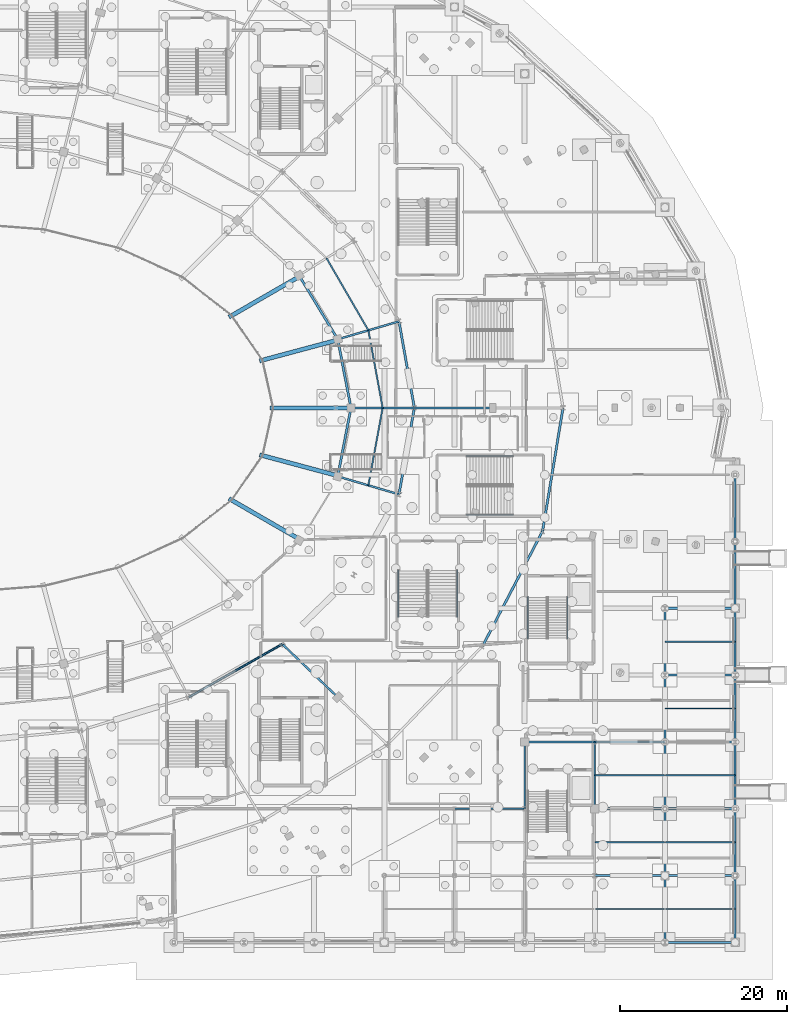
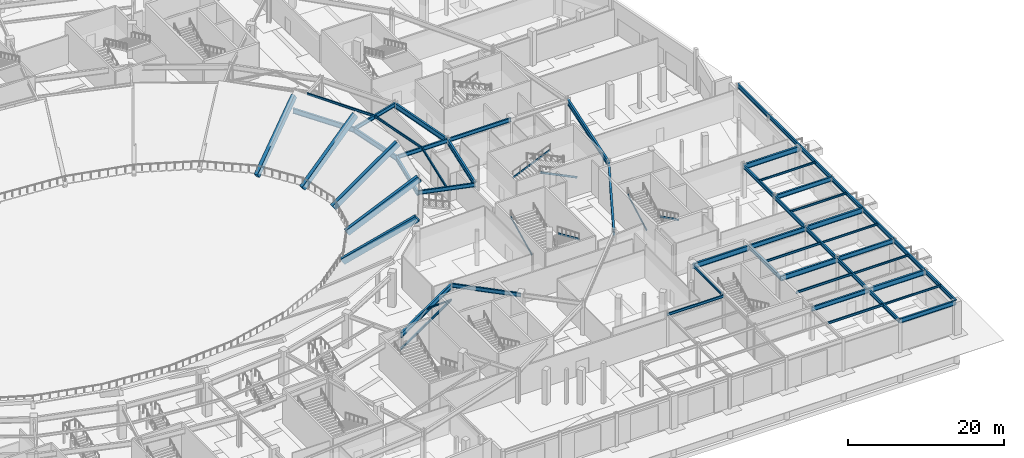
# One storey, part 37 of 93: 55 beams, 7 members.
"""IFC4 building model written with IfcOpenShell, lengths in metres."""

from ifc_helpers import new_model, si_unit, direction, frame, origin, origin_2d, place, context, subcontext, project, spatial, rectangle, hollow_circle, i_section, extrude, material, material_profile, profile_set, type_object, element, save


model = new_model("IFC4")

# Units and contexts
model_context = context("Model", 3, precision=1e-05, world=origin(), true_north=direction((0.0, 1.0)))
body_context = subcontext(model_context, "Body", "Model", "MODEL_VIEW")
ifc_project = project(units=[si_unit("LENGTHUNIT", "METRE"), si_unit("AREAUNIT", "SQUARE_METRE"), si_unit("VOLUMEUNIT", "CUBIC_METRE"), si_unit("PLANEANGLEUNIT", "RADIAN"), si_unit("MASSUNIT", "GRAM", prefix="KILO")], contexts=[model_context])

# Site, building, storey
site_placement = place(None, origin())
site = spatial("IfcSite", under=ifc_project, at=site_placement, CompositionType="ELEMENT")
building_placement = place(site_placement, origin())
building = spatial("IfcBuilding", under=site, at=building_placement, Name="Kalgoora Escarpment Arena", CompositionType="ELEMENT")
storey_placement = place(building_placement, origin())
storey = spatial("IfcBuildingStorey", under=building, at=storey_placement, Name="L00", CompositionType="ELEMENT", Elevation=0.0)

# Beams
ifc_material_1 = material(Name="Structural steel AS/NZS 3679 (300 MPa)", Category="steel")
ifc_material_profile_1 = material_profile(ifc_material_1, i_section(OverallWidth=0.1708984375, OverallDepth=0.35205078125, WebThickness=0.0068359375, FlangeThickness=0.009765625, at=origin_2d()))
ifc_profile_set_1 = profile_set([ifc_material_profile_1], Name="Structural steel AS/NZS 3679 (300 MPa)")
beam_type_1 = type_object("IfcBeamType", Name="BM-BEAM-360UB44.7", PredefinedType="BEAM", material=ifc_profile_set_1)
beam_1_placement = place(storey_placement, frame((119.39990234375, 29.35888671875, 2.52392578125), z_axis=(0.869373733104, 0.494155149917, 0.0), x_axis=(-0.494155149917, 0.869373733104, 0.0)))
element("IfcBeam", 1, at=beam_1_placement, inside=storey, type_object=beam_type_1, Name="L00 Portal brace collector beam 360UB44.7", PredefinedType="BEAM", context=body_context, shape_type="SweptSolid", body=[
    extrude(i_section(OverallWidth=0.1708984375, OverallDepth=0.35205078125, WebThickness=0.0068359375, FlangeThickness=0.009765625, at=origin_2d()), origin(), (0.0, 0.0, 1.0), 12.8642578125),
])
ifc_material_2 = material(Name="Structural steel AS/NZS 3679 (300 MPa)", Category="steel")
ifc_material_profile_2 = material_profile(ifc_material_2, i_section(OverallWidth=0.172119140625, OverallDepth=0.35888671875, WebThickness=0.008056640625, FlangeThickness=0.012939453125, at=origin_2d()))
ifc_profile_set_2 = profile_set([ifc_material_profile_2], Name="Structural steel AS/NZS 3679 (300 MPa)")
beam_type_2 = type_object("IfcBeamType", Name="BM-BEAM-360UB56.7", PredefinedType="BEAM", material=ifc_profile_set_2)
beam_2_placement = place(storey_placement, frame((142.60498046875, 64.0, 4.9404296875), z_axis=(-0.181263825147, 0.983434505035, 0.0), x_axis=(-0.983434505035, -0.181263825147, 0.0)))
element("IfcBeam", 2, at=beam_2_placement, inside=storey, type_object=beam_type_2, Name="L00 Concourse secondary ring beam 360UB56.7", PredefinedType="BEAM", context=body_context, shape_type="SweptSolid", body=[
    extrude(i_section(OverallWidth=0.172119140625, OverallDepth=0.35888671875, WebThickness=0.008056640625, FlangeThickness=0.012939453125, at=origin_2d()), origin(), (0.0, 0.0, 1.0), 9.4375),
])
beam_3_placement = place(storey_placement, frame((140.894287109375, 73.28125, 4.9404296875), z_axis=(-0.501654133754, 0.865068280593, 0.0), x_axis=(-0.865068280593, -0.501654133754, 0.0)))
element("IfcBeam", 3, at=beam_3_placement, inside=storey, type_object=beam_type_2, Name="L00 Concourse secondary ring beam 360UB56.7", PredefinedType="BEAM", context=body_context, shape_type="SweptSolid", body=[
    extrude(i_section(OverallWidth=0.172119140625, OverallDepth=0.35888671875, WebThickness=0.008056640625, FlangeThickness=0.012939453125, at=origin_2d()), origin(), (0.0, 0.0, 1.0), 9.997802734375),
])
beam_4_placement = place(storey_placement, frame((140.894287109375, 54.71875, 4.9404296875), z_axis=(0.181263825147, 0.983434505035, 0.0), x_axis=(-0.983434505035, 0.181263825147, 0.0)))
element("IfcBeam", 4, at=beam_4_placement, inside=storey, type_object=beam_type_2, Name="L00 Concourse secondary ring beam 360UB56.7", PredefinedType="BEAM", context=body_context, shape_type="SweptSolid", body=[
    extrude(i_section(OverallWidth=0.172119140625, OverallDepth=0.35888671875, WebThickness=0.008056640625, FlangeThickness=0.012939453125, at=origin_2d()), origin(), (0.0, 0.0, 1.0), 9.4375),
])
ifc_material_3 = material(Name="Structural steel AS/NZS 3679 (300 MPa)", Category="steel")
ifc_material_profile_3 = material_profile(ifc_material_3, i_section(OverallWidth=0.177978515625, OverallDepth=0.406005859375, WebThickness=0.0078125, FlangeThickness=0.0126953125, at=origin_2d()))
ifc_profile_set_3 = profile_set([ifc_material_profile_3], Name="Structural steel AS/NZS 3679 (300 MPa)")
beam_type_3 = type_object("IfcBeamType", Name="BM-GIRDER-410UB59.7", PredefinedType="USERDEFINED", material=ifc_profile_set_3)
beam_5_placement = place(storey_placement, frame((151.199951171875, 16.0, 4.9169921875), z_axis=(1.0, 0.0, 0.0), x_axis=(0.0, 1.0, 0.0)))
element("IfcBeam", 5, at=beam_5_placement, inside=storey, type_object=beam_type_3, Name="L00 Floor girder 410UB59.7", ObjectType="GIRDER", PredefinedType="USERDEFINED", context=body_context, shape_type="SweptSolid", body=[
    extrude(i_section(OverallWidth=0.177978515625, OverallDepth=0.406005859375, WebThickness=0.0078125, FlangeThickness=0.0126953125, at=origin_2d()), origin(), (0.0, 0.0, 1.0), 8.400146484375),
])
beam_6_placement = place(storey_placement, frame((159.60009765625, 16.0, 4.9169921875), z_axis=(0.0, 1.0, 0.0), x_axis=(-1.0, 0.0, 0.0)))
element("IfcBeam", 6, at=beam_6_placement, inside=storey, type_object=beam_type_3, Name="L00 Floor girder 410UB59.7", ObjectType="GIRDER", PredefinedType="USERDEFINED", context=body_context, shape_type="SweptSolid", body=[
    extrude(i_section(OverallWidth=0.177978515625, OverallDepth=0.406005859375, WebThickness=0.0078125, FlangeThickness=0.0126953125, at=origin_2d()), origin(), (0.0, 0.0, 1.0), 8.0),
])
ifc_material_4 = material(Name="Structural steel AS/NZS 3679 (300 MPa)", Category="steel")
ifc_material_profile_4 = material_profile(ifc_material_4, i_section(OverallWidth=0.22900390625, OverallDepth=0.612060546875, WebThickness=0.011962890625, FlangeThickness=0.01953125, at=origin_2d()))
ifc_profile_set_4 = profile_set([ifc_material_profile_4], Name="Structural steel AS/NZS 3679 (300 MPa)")
beam_type_4 = type_object("IfcBeamType", Name="BM-GIRDER-610UB125", PredefinedType="USERDEFINED", material=ifc_profile_set_4)
for number, where, z_axis, x_axis, name in (
    (7, (168.0, 16.0, 4.81396484375), (0.0, 1.0, 0.0), (-1.0, 0.0, 0.0), "L00 Floor girder 610UB125"),
    (8, (176.39990234375, 0.0, 4.81396484375), (0.0, 1.0, 0.0), (-1.0, 0.0, 0.0), "L00 Floor girder 610UB125"),
    (9, (176.39990234375, 8.0, 4.81396484375), (0.0, 1.0, 0.0), (-1.0, 0.0, 0.0), "L00 Floor girder 610UB125"),
    (10, (176.39990234375, 16.0, 4.81396484375), (0.0, 1.0, 0.0), (-1.0, 0.0, 0.0), "L00 Floor girder 610UB125"),
    (11, (176.39990234375, 24.0, 4.81396484375), (0.0, 1.0, 0.0), (-1.0, 0.0, 0.0), "L00 Floor girder 610UB125"),
    (12, (176.39990234375, 32.0, 4.81396484375), (0.0, 1.0, 0.0), (-1.0, 0.0, 0.0), "L00 Floor girder 610UB125"),
):
    element("IfcBeam", number, at=place(storey_placement, frame(where, z_axis=z_axis, x_axis=x_axis)), inside=storey, type_object=beam_type_4, Name=name, ObjectType="GIRDER", PredefinedType="USERDEFINED", context=body_context, shape_type="SweptSolid", body=[
        extrude(i_section(OverallWidth=0.22900390625, OverallDepth=0.612060546875, WebThickness=0.011962890625, FlangeThickness=0.01953125, at=origin_2d()), origin(), (0.0, 0.0, 1.0), 8.0),
    ])
beam_7_placement = place(storey_placement, frame((138.81005859375, 64.0, 4.81396484375), z_axis=(1.0, 0.0, 0.0), x_axis=(0.0, 1.0, 0.0)))
element("IfcBeam", 13, at=beam_7_placement, inside=storey, type_object=beam_type_4, Name="L00 Radial concourse girder 610UB125", ObjectType="GIRDER", PredefinedType="USERDEFINED", context=body_context, shape_type="SweptSolid", body=[
    extrude(i_section(OverallWidth=0.22900390625, OverallDepth=0.612060546875, WebThickness=0.011962890625, FlangeThickness=0.01953125, at=origin_2d()), origin(), (0.0, 0.0, 1.0), 7.58984375),
])
beam_8_placement = place(storey_placement, frame((146.39990234375, 64.0, 4.81396484375), z_axis=(1.0, 0.0, 0.0), x_axis=(0.0, 1.0, 0.0)))
element("IfcBeam", 14, at=beam_8_placement, inside=storey, type_object=beam_type_4, Name="L00 Radial concourse girder 610UB125", ObjectType="GIRDER", PredefinedType="USERDEFINED", context=body_context, shape_type="SweptSolid", body=[
    extrude(i_section(OverallWidth=0.22900390625, OverallDepth=0.612060546875, WebThickness=0.011962890625, FlangeThickness=0.01953125, at=origin_2d()), origin(), (0.0, 0.0, 1.0), 9.400146484375),
])
beam_9_placement = place(storey_placement, frame((137.228515625, 72.209716796875, 4.81396484375), z_axis=(0.959834445675, 0.280566991813, 0.0), x_axis=(-0.280566991813, 0.959834445675, 0.0)))
element("IfcBeam", 15, at=beam_9_placement, inside=storey, type_object=beam_type_4, Name="L00 Radial concourse girder 610UB125", ObjectType="GIRDER", PredefinedType="USERDEFINED", context=body_context, shape_type="SweptSolid", body=[
    extrude(i_section(OverallWidth=0.22900390625, OverallDepth=0.612060546875, WebThickness=0.011962890625, FlangeThickness=0.01953125, at=origin_2d()), origin(), (0.0, 0.0, 1.0), 7.638427734375),
])
beam_10_placement = place(storey_placement, frame((130.583740234375, 35.7158203125, 4.81396484375), z_axis=(0.722313931554, -0.691565314546, 0.0), x_axis=(0.691565314546, 0.722313931554, 0.0)))
element("IfcBeam", 16, at=beam_10_placement, inside=storey, type_object=beam_type_4, Name="L00 Radial concourse girder 610UB125", ObjectType="GIRDER", PredefinedType="USERDEFINED", context=body_context, shape_type="SweptSolid", body=[
    extrude(i_section(OverallWidth=0.22900390625, OverallDepth=0.612060546875, WebThickness=0.011962890625, FlangeThickness=0.01953125, at=origin_2d()), origin(), (0.0, 0.0, 1.0), 9.202392578125),
])
beam_11_placement = place(storey_placement, frame((137.228515625, 55.790283203125, 4.81396484375), z_axis=(0.959834445675, -0.280566991813, 0.0), x_axis=(0.280566991813, 0.959834445675, 0.0)))
element("IfcBeam", 17, at=beam_11_placement, inside=storey, type_object=beam_type_4, Name="L00 Radial concourse girder 610UB125", ObjectType="GIRDER", PredefinedType="USERDEFINED", context=body_context, shape_type="SweptSolid", body=[
    extrude(i_section(OverallWidth=0.22900390625, OverallDepth=0.612060546875, WebThickness=0.011962890625, FlangeThickness=0.01953125, at=origin_2d()), origin(), (0.0, 0.0, 1.0), 7.638427734375),
])
ifc_material_5 = material(Name="Structural steel AS/NZS 3679 (300 MPa)", Category="steel")
ifc_material_profile_5 = material_profile(ifc_material_5, i_section(OverallWidth=0.25, OverallDepth=0.699951171875, WebThickness=0.010009765625, FlangeThickness=0.02001953125, at=origin_2d()))
ifc_profile_set_5 = profile_set([ifc_material_profile_5], Name="Structural steel AS/NZS 3679 (300 MPa)")
beam_type_5 = type_object("IfcBeamType", Name="BM-GIRDER-700WB130", PredefinedType="USERDEFINED", material=ifc_profile_set_5)
for number, where, z_axis, x_axis, name in (
    (18, (168.0, 8.0, 4.77001953125), (1.0, 0.0, 0.0), (0.0, 1.0, 0.0), "L00 Floor girder 700WB130"),
    (19, (168.0, 24.0, 4.77001953125), (1.0, 0.0, 0.0), (0.0, 1.0, 0.0), "L00 Floor girder 700WB130"),
):
    element("IfcBeam", number, at=place(storey_placement, frame(where, z_axis=z_axis, x_axis=x_axis)), inside=storey, type_object=beam_type_5, Name=name, ObjectType="GIRDER", PredefinedType="USERDEFINED", context=body_context, shape_type="SweptSolid", body=[
        extrude(i_section(OverallWidth=0.25, OverallDepth=0.699951171875, WebThickness=0.010009765625, FlangeThickness=0.02001953125, at=origin_2d()), origin(), (0.0, 0.0, 1.0), 8.39990234375),
    ])
for number, where, z_axis, x_axis, name in (
    (20, (176.39990234375, 16.0, 4.77001953125), (1.0, 0.0, 0.0), (0.0, 1.0, 0.0), "L00 Floor girder 700WB130"),
    (21, (176.39990234375, 32.0, 4.77001953125), (1.0, 0.0, 0.0), (0.0, 1.0, 0.0), "L00 Floor girder 700WB130"),
):
    element("IfcBeam", number, at=place(storey_placement, frame(where, z_axis=z_axis, x_axis=x_axis)), inside=storey, type_object=beam_type_5, Name=name, ObjectType="GIRDER", PredefinedType="USERDEFINED", context=body_context, shape_type="SweptSolid", body=[
        extrude(i_section(OverallWidth=0.25, OverallDepth=0.699951171875, WebThickness=0.010009765625, FlangeThickness=0.02001953125, at=origin_2d()), origin(), (0.0, 0.0, 1.0), 8.400146484375),
    ])
ifc_material_6 = material(Name="Structural steel AS/NZS 3679 (300 MPa)", Category="steel")
ifc_material_profile_6 = material_profile(ifc_material_6, i_section(OverallWidth=0.27490234375, OverallDepth=0.800048828125, WebThickness=0.011962890625, FlangeThickness=0.02197265625, at=origin_2d()))
ifc_profile_set_6 = profile_set([ifc_material_profile_6], Name="Structural steel AS/NZS 3679 (300 MPa)")
beam_type_6 = type_object("IfcBeamType", Name="BM-GIRDER-800WB168", PredefinedType="USERDEFINED", material=ifc_profile_set_6)
for number, where, z_axis, x_axis, name in (
    (22, (159.60009765625, 24.0, 4.719970703125), (1.0, 0.0, 0.0), (0.0, 1.0, 0.0), "L00 Floor girder 800WB168"),
    (23, (168.0, 16.0, 4.719970703125), (1.0, 0.0, 0.0), (0.0, 1.0, 0.0), "L00 Floor girder 800WB168"),
):
    element("IfcBeam", number, at=place(storey_placement, frame(where, z_axis=z_axis, x_axis=x_axis)), inside=storey, type_object=beam_type_6, Name=name, ObjectType="GIRDER", PredefinedType="USERDEFINED", context=body_context, shape_type="SweptSolid", body=[
        extrude(i_section(OverallWidth=0.27490234375, OverallDepth=0.800048828125, WebThickness=0.011962890625, FlangeThickness=0.02197265625, at=origin_2d()), origin(), (0.0, 0.0, 1.0), 8.39990234375),
    ])
for number, where, z_axis, x_axis, name in (
    (24, (176.39990234375, 8.0, 4.719970703125), (1.0, 0.0, 0.0), (0.0, 1.0, 0.0), "L00 Floor girder 800WB168"),
    (25, (176.39990234375, 24.0, 4.719970703125), (1.0, 0.0, 0.0), (0.0, 1.0, 0.0), "L00 Floor girder 800WB168"),
    (26, (176.39990234375, 40.0, 4.719970703125), (1.0, 0.0, 0.0), (0.0, 1.0, 0.0), "L00 Floor girder 800WB168"),
):
    element("IfcBeam", number, at=place(storey_placement, frame(where, z_axis=z_axis, x_axis=x_axis)), inside=storey, type_object=beam_type_6, Name=name, ObjectType="GIRDER", PredefinedType="USERDEFINED", context=body_context, shape_type="SweptSolid", body=[
        extrude(i_section(OverallWidth=0.27490234375, OverallDepth=0.800048828125, WebThickness=0.011962890625, FlangeThickness=0.02197265625, at=origin_2d()), origin(), (0.0, 0.0, 1.0), 8.400146484375),
    ])
beam_12_placement = place(storey_placement, frame((138.81005859375, 64.0, 4.719970703125), z_axis=(-0.189164721843, 0.981945369158, 0.0), x_axis=(-0.981945369158, -0.189164721843, 0.0)))
element("IfcBeam", 27, at=beam_12_placement, inside=storey, type_object=beam_type_6, Name="L00 Circumferential concourse girder RMID 800WB168", ObjectType="GIRDER", PredefinedType="USERDEFINED", context=body_context, shape_type="SweptSolid", body=[
    extrude(i_section(OverallWidth=0.27490234375, OverallDepth=0.800048828125, WebThickness=0.011962890625, FlangeThickness=0.02197265625, at=origin_2d()), origin(), (0.0, 0.0, 1.0), 8.360595703125),
])
beam_13_placement = place(storey_placement, frame((146.39990234375, 64.0, 4.719970703125), z_axis=(-0.174973315738, 0.984573175939, 0.0), x_axis=(-0.984573175939, -0.174973315738, 0.0)))
element("IfcBeam", 28, at=beam_13_placement, inside=storey, type_object=beam_type_6, Name="L00 Circumferential concourse girder RMAIN 800WB168", ObjectType="GIRDER", PredefinedType="USERDEFINED", context=body_context, shape_type="SweptSolid", body=[
    extrude(i_section(OverallWidth=0.27490234375, OverallDepth=0.800048828125, WebThickness=0.011962890625, FlangeThickness=0.02197265625, at=origin_2d()), origin(), (0.0, 0.0, 1.0), 10.514892578125),
])
beam_14_placement = place(storey_placement, frame((137.228515625, 72.209716796875, 4.719970703125), z_axis=(-0.518271472998, 0.855216159972, 0.0), x_axis=(-0.855216159972, -0.518271472998, 0.0)))
element("IfcBeam", 29, at=beam_14_placement, inside=storey, type_object=beam_type_6, Name="L00 Circumferential concourse girder RMID 800WB168", ObjectType="GIRDER", PredefinedType="USERDEFINED", context=body_context, shape_type="SweptSolid", body=[
    extrude(i_section(OverallWidth=0.27490234375, OverallDepth=0.800048828125, WebThickness=0.011962890625, FlangeThickness=0.02197265625, at=origin_2d()), origin(), (0.0, 0.0, 1.0), 8.945556640625),
])
beam_15_placement = place(storey_placement, frame((119.39990234375, 29.35888671875, 4.719970703125), z_axis=(0.869373733104, 0.494155149917, 0.0), x_axis=(-0.494155149917, 0.869373733104, 0.0)))
element("IfcBeam", 30, at=beam_15_placement, inside=storey, type_object=beam_type_6, Name="L00 Circumferential concourse girder RMAIN 800WB168", ObjectType="GIRDER", PredefinedType="USERDEFINED", context=body_context, shape_type="SweptSolid", body=[
    extrude(i_section(OverallWidth=0.27490234375, OverallDepth=0.800048828125, WebThickness=0.011962890625, FlangeThickness=0.02197265625, at=origin_2d()), origin(), (0.0, 0.0, 1.0), 12.8642578125),
])
beam_16_placement = place(storey_placement, frame((137.228515625, 55.790283203125, 4.719970703125), z_axis=(0.189164721843, 0.981945369158, 0.0), x_axis=(-0.981945369158, 0.189164721843, 0.0)))
element("IfcBeam", 31, at=beam_16_placement, inside=storey, type_object=beam_type_6, Name="L00 Circumferential concourse girder RMID 800WB168", ObjectType="GIRDER", PredefinedType="USERDEFINED", context=body_context, shape_type="SweptSolid", body=[
    extrude(i_section(OverallWidth=0.27490234375, OverallDepth=0.800048828125, WebThickness=0.011962890625, FlangeThickness=0.02197265625, at=origin_2d()), origin(), (0.0, 0.0, 1.0), 8.360595703125),
])
beam_17_placement = place(storey_placement, frame((144.56005859375, 53.647216796875, 4.719970703125), z_axis=(0.174973315738, 0.984573175939, 0.0), x_axis=(-0.984573175939, 0.174973315738, 0.0)))
element("IfcBeam", 32, at=beam_17_placement, inside=storey, type_object=beam_type_6, Name="L00 Circumferential concourse girder RMAIN 800WB168", ObjectType="GIRDER", PredefinedType="USERDEFINED", context=body_context, shape_type="SweptSolid", body=[
    extrude(i_section(OverallWidth=0.27490234375, OverallDepth=0.800048828125, WebThickness=0.011962890625, FlangeThickness=0.02197265625, at=origin_2d()), origin(), (0.0, 0.0, 1.0), 10.514892578125),
])
ifc_material_7 = material(Name="Structural steel AS/NZS 3679 (300 MPa)", Category="steel")
ifc_material_profile_7 = material_profile(ifc_material_7, i_section(OverallWidth=0.166015625, OverallDepth=0.306884765625, WebThickness=0.006591796875, FlangeThickness=0.01171875, at=origin_2d()))
ifc_profile_set_7 = profile_set([ifc_material_profile_7], Name="Structural steel AS/NZS 3679 (300 MPa)")
beam_type_7 = type_object("IfcBeamType", Name="BM-JOIST-310UB46.2", PredefinedType="JOIST", material=ifc_profile_set_7)
for number, where, z_axis, x_axis, name in (
    (33, (176.47802734375, 4.0, 5.006591796875), (1.0, 0.0, 0.0), (0.0, 1.0, 0.0), "L00 Secondary composite floor joist 310UB46.2"),
    (34, (176.47802734375, 12.0, 4.966552734375), (1.0, 0.0, 0.0), (0.0, 1.0, 0.0), "L00 Secondary composite floor joist 310UB46.2"),
    (35, (176.47802734375, 20.0, 4.966552734375), (1.0, 0.0, 0.0), (0.0, 1.0, 0.0), "L00 Secondary composite floor joist 310UB46.2"),
):
    element("IfcBeam", number, at=place(storey_placement, frame(where, z_axis=z_axis, x_axis=x_axis)), inside=storey, type_object=beam_type_7, Name=name, PredefinedType="JOIST", context=body_context, shape_type="SweptSolid", body=[
        extrude(i_section(OverallWidth=0.166015625, OverallDepth=0.306884765625, WebThickness=0.006591796875, FlangeThickness=0.01171875, at=origin_2d()), origin(), (0.0, 0.0, 1.0), 8.322021484375),
    ])
for number, where, z_axis, x_axis, name in (
    (36, (176.39990234375, 28.0, 4.966552734375), (1.0, 0.0, 0.0), (0.0, 1.0, 0.0), "L00 Secondary composite floor joist 310UB46.2"),
    (37, (176.39990234375, 36.0, 4.966552734375), (1.0, 0.0, 0.0), (0.0, 1.0, 0.0), "L00 Secondary composite floor joist 310UB46.2"),
):
    element("IfcBeam", number, at=place(storey_placement, frame(where, z_axis=z_axis, x_axis=x_axis)), inside=storey, type_object=beam_type_7, Name=name, PredefinedType="JOIST", context=body_context, shape_type="SweptSolid", body=[
        extrude(i_section(OverallWidth=0.166015625, OverallDepth=0.306884765625, WebThickness=0.006591796875, FlangeThickness=0.01171875, at=origin_2d()), origin(), (0.0, 0.0, 1.0), 8.400146484375),
    ])
ifc_material_8 = material(Name="Structural steel AS/NZS 3679 (300 MPa)", Category="steel")
ifc_material_profile_8 = material_profile(ifc_material_8, i_section(OverallWidth=0.172119140625, OverallDepth=0.35888671875, WebThickness=0.008056640625, FlangeThickness=0.012939453125, at=origin_2d()))
ifc_profile_set_8 = profile_set([ifc_material_profile_8], Name="Structural steel AS/NZS 3679 (300 MPa)")
beam_type_8 = type_object("IfcBeamType", Name="BM-JOIST-360UB56.7", PredefinedType="JOIST", material=ifc_profile_set_8)
beam_18_placement = place(storey_placement, frame((168.077880859375, 4.0, 4.970458984375), z_axis=(1.0, 0.0, 0.0), x_axis=(0.0, 1.0, 0.0)))
element("IfcBeam", 38, at=beam_18_placement, inside=storey, type_object=beam_type_8, Name="L00 Secondary composite floor joist 360UB56.7", PredefinedType="JOIST", context=body_context, shape_type="SweptSolid", body=[
    extrude(i_section(OverallWidth=0.172119140625, OverallDepth=0.35888671875, WebThickness=0.008056640625, FlangeThickness=0.012939453125, at=origin_2d()), origin(), (0.0, 0.0, 1.0), 8.244140625),
])
for number, where, z_axis, x_axis, name in (
    (39, (168.0, 12.0, 4.9404296875), (1.0, 0.0, 0.0), (0.0, 1.0, 0.0), "L00 Secondary composite floor joist 360UB56.7"),
    (40, (168.0, 20.0, 4.9404296875), (1.0, 0.0, 0.0), (0.0, 1.0, 0.0), "L00 Secondary composite floor joist 360UB56.7"),
):
    element("IfcBeam", number, at=place(storey_placement, frame(where, z_axis=z_axis, x_axis=x_axis)), inside=storey, type_object=beam_type_8, Name=name, PredefinedType="JOIST", context=body_context, shape_type="SweptSolid", body=[
        extrude(i_section(OverallWidth=0.172119140625, OverallDepth=0.35888671875, WebThickness=0.008056640625, FlangeThickness=0.012939453125, at=origin_2d()), origin(), (0.0, 0.0, 1.0), 8.322021484375),
    ])
ifc_material_9 = material(Name="Precast concrete N50 (fc' 50 MPa)", Category="concrete")
ifc_material_profile_9 = material_profile(ifc_material_9, rectangle(XDim=0.5, YDim=0.949951171875, at=origin_2d()))
ifc_profile_set_9 = profile_set([ifc_material_profile_9], Name="Precast concrete N50 (fc' 50 MPa)")
beam_type_9 = type_object("IfcBeamType", Name="BM-RAKER-LOW", PredefinedType="USERDEFINED", material=ifc_profile_set_9)
beam_19_placement = place(storey_placement, frame((129.39990234375, 64.0, 0.25), z_axis=(0.81803191132, 0.0, 0.575172836686), x_axis=(0.0, 1.0, 0.0)))
element("IfcBeam", 41, at=beam_19_placement, inside=storey, type_object=beam_type_9, Name="Lower bowl precast RAKER girder R01", ObjectType="GIRDER", PredefinedType="USERDEFINED", context=body_context, shape_type="SweptSolid", body=[
    extrude(rectangle(XDim=0.5, YDim=0.949951171875, at=origin_2d()), origin(), (0.0, 0.0, 1.0), 11.735595703125),
])
beam_20_placement = place(storey_placement, frame((128.139404296875, 69.694091796875, 0.25), z_axis=(0.790150260319, 0.211720576058, 0.575184286809), x_axis=(-0.258819560533, 0.96592568818, 0.0)))
element("IfcBeam", 42, at=beam_20_placement, inside=storey, type_object=beam_type_9, Name="Lower bowl precast RAKER girder R02", ObjectType="GIRDER", PredefinedType="USERDEFINED", context=body_context, shape_type="SweptSolid", body=[
    extrude(rectangle(XDim=0.5, YDim=0.949951171875, at=origin_2d()), origin(), (0.0, 0.0, 1.0), 11.7353515625),
])
for number, where, z_axis, x_axis, name in (
    (43, (124.44287109375, 75.0, 0.25), (0.708437961075, 0.409015057047, 0.575171573025), (-0.499998358424, 0.866026351547, 0.0), "Lower bowl precast RAKER girder R03"),
    (44, (124.44287109375, 53.0, 0.25), (0.708437961075, -0.409015057047, 0.575171573025), (0.499998358424, 0.866026351547, 0.0), "Lower bowl precast RAKER girder R23"),
):
    element("IfcBeam", number, at=place(storey_placement, frame(where, z_axis=z_axis, x_axis=x_axis)), inside=storey, type_object=beam_type_9, Name=name, ObjectType="GIRDER", PredefinedType="USERDEFINED", context=body_context, shape_type="SweptSolid", body=[
        extrude(rectangle(XDim=0.5, YDim=0.949951171875, at=origin_2d()), origin(), (0.0, 0.0, 1.0), 11.735595703125),
    ])
beam_21_placement = place(storey_placement, frame((128.139404296875, 58.305908203125, 0.25), z_axis=(0.790150260319, -0.211720576058, 0.575184286809), x_axis=(0.258819560533, 0.96592568818, 0.0)))
element("IfcBeam", 45, at=beam_21_placement, inside=storey, type_object=beam_type_9, Name="Lower bowl precast RAKER girder R24", ObjectType="GIRDER", PredefinedType="USERDEFINED", context=body_context, shape_type="SweptSolid", body=[
    extrude(rectangle(XDim=0.5, YDim=0.949951171875, at=origin_2d()), origin(), (0.0, 0.0, 1.0), 11.7353515625),
])
ifc_material_10 = material(Name="Structural steel AS/NZS 3679 (300 MPa)", Category="steel")
ifc_material_profile_10 = material_profile(ifc_material_10, i_section(OverallWidth=0.22900390625, OverallDepth=0.612060546875, WebThickness=0.011962890625, FlangeThickness=0.01953125, at=origin_2d()))
ifc_profile_set_10 = profile_set([ifc_material_profile_10], Name="Structural steel AS/NZS 3679 (300 MPa)")
beam_type_10 = type_object("IfcBeamType", Name="BM-SPANDREL-610UB125", PredefinedType="SPANDREL", material=ifc_profile_set_10)
for number, where, z_axis, x_axis, name in (
    (46, (184.800048828125, 0.0, 4.85400390625), (0.0, 1.0, 0.0), (-1.0, 0.0, 0.0), "L00 Floor girder 610UB125"),
    (47, (184.800048828125, 8.0, 4.85400390625), (0.0, 1.0, 0.0), (-1.0, 0.0, 0.0), "L00 Floor girder 610UB125"),
    (48, (184.800048828125, 16.0, 4.85400390625), (0.0, 1.0, 0.0), (-1.0, 0.0, 0.0), "L00 Floor girder 610UB125"),
    (49, (184.800048828125, 24.0, 4.85400390625), (0.0, 1.0, 0.0), (-1.0, 0.0, 0.0), "L00 Floor girder 610UB125"),
    (50, (184.800048828125, 32.0, 4.85400390625), (0.0, 1.0, 0.0), (-1.0, 0.0, 0.0), "L00 Floor girder 610UB125"),
    (51, (184.800048828125, 40.0, 4.85400390625), (0.0, 1.0, 0.0), (-1.0, 0.0, 0.0), "L00 Floor girder 610UB125"),
    (52, (184.800048828125, 48.0, 4.85400390625), (0.0, 1.0, 0.0), (-1.0, 0.0, 0.0), "L00 Floor girder 610UB125"),
):
    element("IfcBeam", number, at=place(storey_placement, frame(where, z_axis=z_axis, x_axis=x_axis)), inside=storey, type_object=beam_type_10, Name=name, PredefinedType="SPANDREL", context=body_context, shape_type="SweptSolid", body=[
        extrude(i_section(OverallWidth=0.22900390625, OverallDepth=0.612060546875, WebThickness=0.011962890625, FlangeThickness=0.01953125, at=origin_2d()), origin(), (0.0, 0.0, 1.0), 8.0),
    ])
ifc_material_11 = material(Name="Structural steel AS/NZS 3679 (300 MPa)", Category="steel")
ifc_material_profile_11 = material_profile(ifc_material_11, i_section(OverallWidth=0.25, OverallDepth=0.699951171875, WebThickness=0.010009765625, FlangeThickness=0.02001953125, at=origin_2d()))
ifc_profile_set_11 = profile_set([ifc_material_profile_11], Name="Structural steel AS/NZS 3679 (300 MPa)")
beam_type_11 = type_object("IfcBeamType", Name="BM-SPANDREL-700WB130", PredefinedType="SPANDREL", material=ifc_profile_set_11)
beam_22_placement = place(storey_placement, frame((176.39990234375, 0.0, 4.81005859375), z_axis=(1.0, 0.0, 0.0), x_axis=(0.0, 1.0, 0.0)))
element("IfcBeam", 53, at=beam_22_placement, inside=storey, type_object=beam_type_11, Name="L00 Floor girder 700WB130", PredefinedType="SPANDREL", context=body_context, shape_type="SweptSolid", body=[
    extrude(i_section(OverallWidth=0.25, OverallDepth=0.699951171875, WebThickness=0.010009765625, FlangeThickness=0.02001953125, at=origin_2d()), origin(), (0.0, 0.0, 1.0), 8.400146484375),
])
ifc_material_12 = material(Name="Structural steel AS/NZS 3679 (300 MPa)", Category="steel")
ifc_material_profile_12 = material_profile(ifc_material_12, i_section(OverallWidth=0.27490234375, OverallDepth=0.800048828125, WebThickness=0.011962890625, FlangeThickness=0.02197265625, at=origin_2d()))
ifc_profile_set_12 = profile_set([ifc_material_profile_12], Name="Structural steel AS/NZS 3679 (300 MPa)")
beam_type_12 = type_object("IfcBeamType", Name="BM-SPANDREL-800WB168", PredefinedType="SPANDREL", material=ifc_profile_set_12)
beam_23_placement = place(storey_placement, frame((154.58056640625, 35.5, 4.719970703125), z_axis=(0.462583225327, 0.886575862319, 0.0), x_axis=(-0.886575862319, 0.462583225327, 0.0)))
element("IfcBeam", 54, at=beam_23_placement, inside=storey, type_object=beam_type_12, Name="L00 Circumferential concourse girder RCONC2 800WB168", PredefinedType="SPANDREL", context=body_context, shape_type="SweptSolid", body=[
    extrude(i_section(OverallWidth=0.27490234375, OverallDepth=0.800048828125, WebThickness=0.011962890625, FlangeThickness=0.02197265625, at=origin_2d()), origin(), (0.0, 0.0, 1.0), 15.506103515625),
])
beam_24_placement = place(storey_placement, frame((161.75341796875, 49.247314453125, 4.719970703125), z_axis=(0.163602052226, 0.986526415514, 0.0), x_axis=(-0.986526415514, 0.163602052226, 0.0)))
element("IfcBeam", 55, at=beam_24_placement, inside=storey, type_object=beam_type_12, Name="L00 Circumferential concourse girder RCONC2 800WB168", PredefinedType="SPANDREL", context=body_context, shape_type="SweptSolid", body=[
    extrude(i_section(OverallWidth=0.27490234375, OverallDepth=0.800048828125, WebThickness=0.011962890625, FlangeThickness=0.02197265625, at=origin_2d()), origin(), (0.0, 0.0, 1.0), 14.9541015625),
])

# Members
ifc_material_13 = material(Name="Structural steel C350 (350 MPa)", Category="steel")
ifc_material_profile_13 = material_profile(ifc_material_13, hollow_circle(Radius=0.136474609375, WallThickness=0.00927734375, at=origin_2d()))
ifc_profile_set_13 = profile_set([ifc_material_profile_13], Name="Structural steel C350 (350 MPa)")
member_type_1 = type_object("IfcMemberType", Name="MEM-BRACE-CHS273", PredefinedType="BRACE", material=ifc_profile_set_13)
member_1_placement = place(storey_placement, frame((130.583740234375, 35.7158203125, 2.52001953125), z_axis=(-0.813268084362, -0.462274589168, 0.353408017973), x_axis=(0.494163303182, -0.869369098708, 0.0)))
element("IfcMember", 56, at=member_1_placement, inside=storey, type_object=member_type_1, Name="L00 concentric lateral brace R21-2", PredefinedType="BRACE", context=body_context, shape_type="SweptSolid", body=[
    extrude(hollow_circle(Radius=0.136474609375, WallThickness=0.00927734375, at=origin_2d()), origin(), (0.0, 0.0, 1.0), 6.875732421875),
])
ifc_material_14 = material(Name="Structural steel AS/NZS 3679 (300 MPa)", Category="steel")
ifc_material_profile_14 = material_profile(ifc_material_14, i_section(OverallWidth=0.090087890625, OverallDepth=0.300048828125, WebThickness=0.008056640625, FlangeThickness=0.01611328125, at=origin_2d()))
ifc_profile_set_14 = profile_set([ifc_material_profile_14], Name="Structural steel AS/NZS 3679 (300 MPa)")
member_type_2 = type_object("IfcMemberType", Name="MEM-STRINGER-PFC", PredefinedType="STRINGER", material=ifc_profile_set_14)
member_2_placement = place(storey_placement, frame((164.72998046875, 41.31005859375, 0.219970703125), z_axis=(0.0, -0.89552873601, 0.445003688727), x_axis=(1.0, 0.0, 0.0)))
element("IfcMember", 57, at=member_2_placement, inside=storey, type_object=member_type_2, Name="ST07 L00 steel stair stringer 1", PredefinedType="STRINGER", context=body_context, shape_type="SweptSolid", body=[
    extrude(i_section(OverallWidth=0.090087890625, OverallDepth=0.300048828125, WebThickness=0.008056640625, FlangeThickness=0.01611328125, at=origin_2d()), origin(), (0.0, 0.0, 1.0), 5.48291015625),
])
member_3_placement = place(storey_placement, frame((159.969970703125, 36.39990234375, 2.659912109375), z_axis=(0.0, 0.876245342812, 0.481865229291), x_axis=(-1.0, 0.0, 0.0)))
element("IfcMember", 58, at=member_3_placement, inside=storey, type_object=member_type_2, Name="ST07 L00 steel stair stringer 2", PredefinedType="STRINGER", context=body_context, shape_type="SweptSolid", body=[
    extrude(i_section(OverallWidth=0.090087890625, OverallDepth=0.300048828125, WebThickness=0.008056640625, FlangeThickness=0.01611328125, at=origin_2d()), origin(), (0.0, 0.0, 1.0), 5.603515625),
])
member_4_placement = place(storey_placement, frame((152.68994140625, 58.22998046875, 0.219970703125), z_axis=(0.914229045155, 0.0, 0.405197794904), x_axis=(0.0, 1.0, 0.0)))
element("IfcMember", 59, at=member_4_placement, inside=storey, type_object=member_type_2, Name="ST22 L00 steel stair stringer 1", PredefinedType="STRINGER", context=body_context, shape_type="SweptSolid", body=[
    extrude(i_section(OverallWidth=0.090087890625, OverallDepth=0.300048828125, WebThickness=0.008056640625, FlangeThickness=0.01611328125, at=origin_2d()), origin(), (0.0, 0.0, 1.0), 6.021484375),
])
member_5_placement = place(storey_placement, frame((158.195068359375, 51.169921875, 2.659912109375), z_axis=(-0.897817331148, 0.0, 0.440368073196), x_axis=(0.0, -1.0, 0.0)))
element("IfcMember", 60, at=member_5_placement, inside=storey, type_object=member_type_2, Name="ST22 L00 steel stair stringer 2", PredefinedType="STRINGER", context=body_context, shape_type="SweptSolid", body=[
    extrude(i_section(OverallWidth=0.090087890625, OverallDepth=0.300048828125, WebThickness=0.008056640625, FlangeThickness=0.01611328125, at=origin_2d()), origin(), (0.0, 0.0, 1.0), 6.131591796875),
])
member_6_placement = place(storey_placement, frame((151.530029296875, 44.510009765625, 0.219970703125), z_axis=(0.0, -0.914229045155, 0.405197794904), x_axis=(1.0, 0.0, 0.0)))
element("IfcMember", 61, at=member_6_placement, inside=storey, type_object=member_type_2, Name="ST24 L00 steel stair stringer 1", PredefinedType="STRINGER", context=body_context, shape_type="SweptSolid", body=[
    extrude(i_section(OverallWidth=0.090087890625, OverallDepth=0.300048828125, WebThickness=0.008056640625, FlangeThickness=0.01611328125, at=origin_2d()), origin(), (0.0, 0.0, 1.0), 6.021484375),
])
member_7_placement = place(storey_placement, frame((144.469970703125, 39.0048828125, 2.659912109375), z_axis=(0.0, 0.897817331148, 0.440368073196), x_axis=(-1.0, 0.0, 0.0)))
element("IfcMember", 62, at=member_7_placement, inside=storey, type_object=member_type_2, Name="ST24 L00 steel stair stringer 2", PredefinedType="STRINGER", context=body_context, shape_type="SweptSolid", body=[
    extrude(i_section(OverallWidth=0.090087890625, OverallDepth=0.300048828125, WebThickness=0.008056640625, FlangeThickness=0.01611328125, at=origin_2d()), origin(), (0.0, 0.0, 1.0), 6.131591796875),
])

save(model, "model.ifc")
